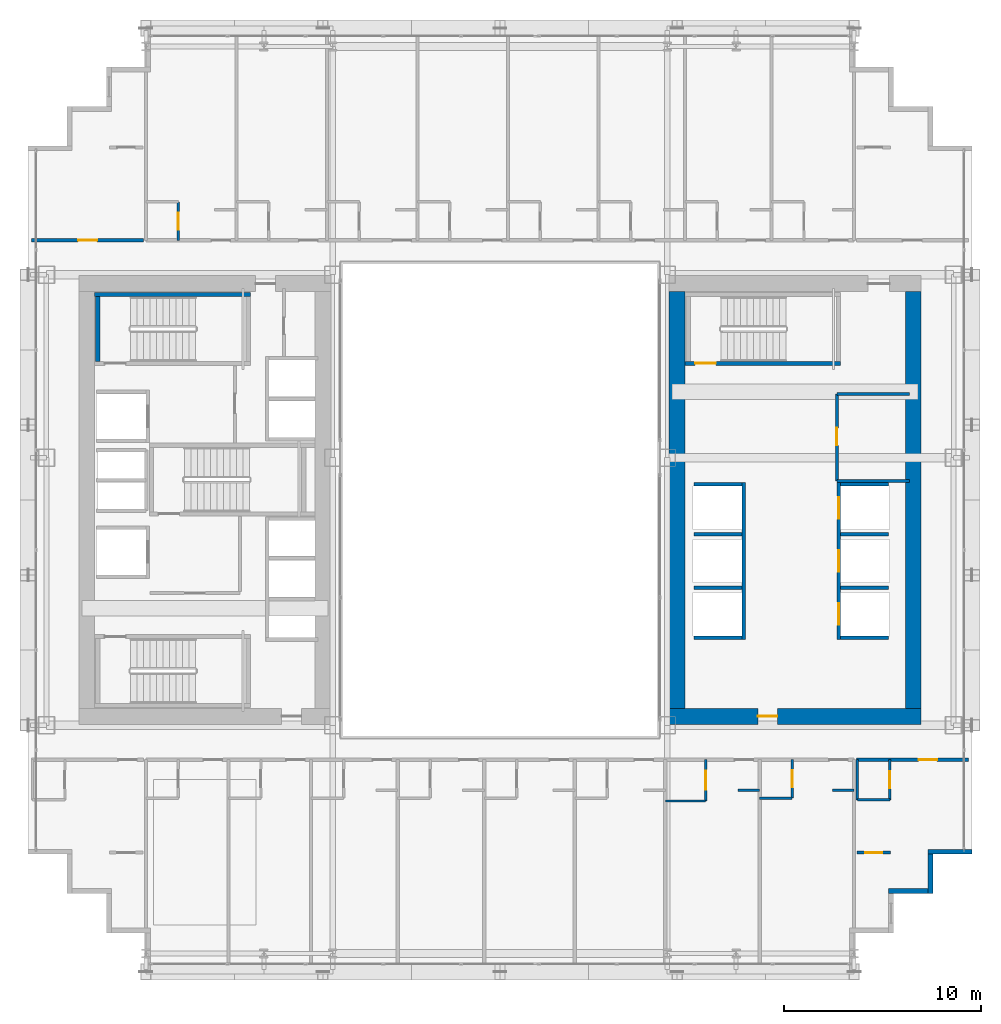
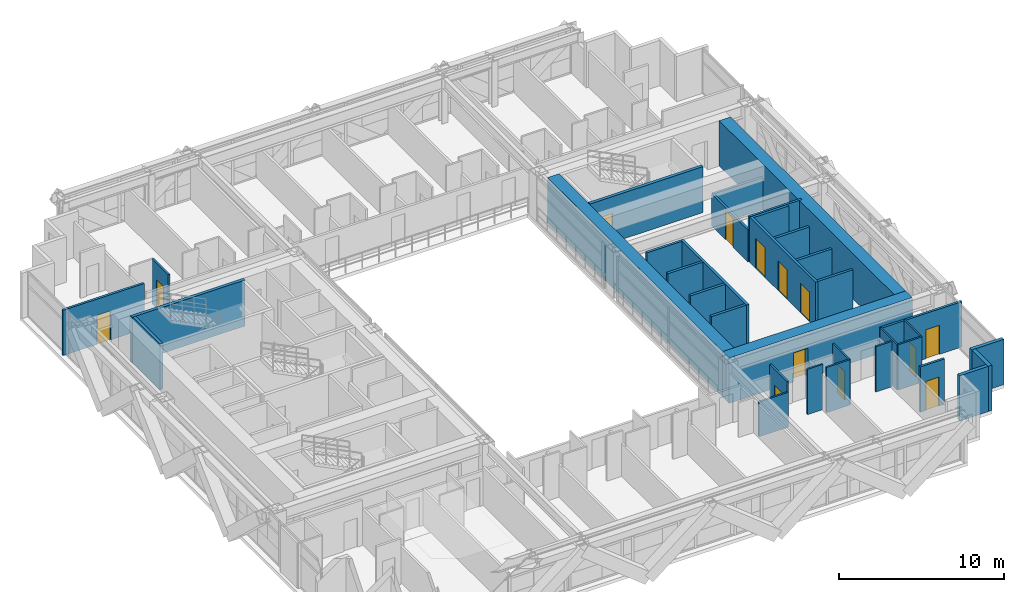
# One storey, part 35 of 41: 35 walls, 13 doors, 13 openings.
"""IFC4 building model written with IfcOpenShell, lengths in metres."""

from ifc_helpers import new_model, si_unit, direction, frame, frame_2d, origin, place, context, subcontext, project, spatial, rectangle, extrude, source, transform, mapped, material, layer, layer_set, type_object, element, fill, save


model = new_model("IFC4")

# Units and contexts
model_context = context("Model", 3, precision=1e-05, world=origin(), true_north=direction((0.0, 1.0)))
body_context = subcontext(model_context, "Body", "Model", "MODEL_VIEW")
ifc_project = project(units=[si_unit("LENGTHUNIT", "METRE"), si_unit("AREAUNIT", "SQUARE_METRE"), si_unit("VOLUMEUNIT", "CUBIC_METRE"), si_unit("PLANEANGLEUNIT", "RADIAN"), si_unit("MASSUNIT", "GRAM", prefix="KILO")], contexts=[model_context])

# Site, building, storey
site_placement = place(None, origin())
site = spatial("IfcSite", under=ifc_project, at=site_placement, CompositionType="ELEMENT")
building_placement = place(site_placement, origin())
building = spatial("IfcBuilding", under=site, at=building_placement, Name="Ocotamira Hotel", CompositionType="ELEMENT")
storey_placement = place(building_placement, frame((0.0, 0.0, 38.39990234375)))
storey = spatial("IfcBuildingStorey", under=building, at=storey_placement, Name="L08", CompositionType="ELEMENT", Elevation=38.39990234375)

# Wall, opening, door
ifc_material_1 = material(Name="Concrete C60/75", Category="concrete")
ifc_layer_1 = layer(ifc_material_1, 0.800048828125)
ifc_layer_set_1 = layer_set([ifc_layer_1], Name="Concrete C60/75")
wall_type_1 = type_object("IfcWallType", Name="WL-CORE-800", PredefinedType="SHEAR", material=ifc_layer_set_1)
wall_1_placement = place(storey_placement, frame((40.60009765625, 15.0, 0.0), z_axis=(0.0, 0.0, 1.0), x_axis=(1.0, 0.0, 0.0)))
wall_1 = element("IfcWall", 1, at=wall_1_placement, inside=storey, type_object=wall_type_1, Name="L08 Shear Core Wall ECORE-S", PredefinedType="SHEAR", context=body_context, shape_type="SweptSolid", body=[
    extrude(rectangle(XDim=12.7998046875, YDim=0.800048828125, at=frame_2d((6.39990234375, 0.0))), origin(), (0.0, 0.0, 1.0), 3.35009765625),
])
opening_1_placement = place(wall_1_placement, frame((4.5, 0.0, 0.0)))
opening_1 = element("IfcOpeningElement", 2, at=opening_1_placement, cuts=wall_1, Name="Opening D-FR2", PredefinedType="OPENING", context=body_context, shape_type="SweptSolid", body=[
    extrude(rectangle(XDim=1.0, YDim=2.14990234375, at=frame_2d((0.5, 1.074951171875))), frame((0.0, 0.41015625, 0.0), z_axis=(0.0, -1.0, 0.0), x_axis=(1.0, 0.0, 0.0)), (0.0, 0.0, 1.0), 0.820068359375),
])
ifc_material_2 = material(Name="Fire-rated acoustic timber-veneer door", Category="wood")
door_type_1 = type_object("IfcDoorType", Name="DR-FIRE-1000", OperationType="NOTDEFINED", PredefinedType="DOOR", material=ifc_material_2)
shared_shape_1 = source(origin(), body_context, "Body", "SweptSolid", [
    extrude(rectangle(XDim=1.0, YDim=2.14990234375, at=frame_2d((0.5, 1.074951171875))), frame((0.0, 0.02490234375, 0.0), z_axis=(0.0, -1.0, 0.0), x_axis=(1.0, 0.0, 0.0)), (0.0, 0.0, 1.0), 0.050048828125),
])
door_1_placement = place(opening_1_placement, origin())
door_1 = element("IfcDoor", 3, at=door_1_placement, inside=storey, type_object=door_type_1, Name="L08 Door ID-L08-ELOB-S-D [ID-L08-ELOB-S-D]", OperationType="SINGLE_SWING_RIGHT", OverallHeight=2.14990234375, OverallWidth=1.0, PredefinedType="DOOR", context=body_context, shape_type="MappedRepresentation", body=[
    mapped(shared_shape_1, transform((0.0, 0.0, 0.0), scale=1.0)),
])
fill(opening_1, door_1)

# Walls
for number, where, z_axis, x_axis, name in (
    (4, (41.0, 15.39990234375, 0.0), (0.0, 0.0, 1.0), (0.0, 1.0, 0.0), "L08 Shear Core Wall ECORE-W"),
    (5, (53.0, 15.39990234375, 0.0), (0.0, 0.0, 1.0), (0.0, 1.0, 0.0), "L08 Shear Core Wall ECORE-E"),
):
    element("IfcWall", number, at=place(storey_placement, frame(where, z_axis=z_axis, x_axis=x_axis)), inside=storey, type_object=wall_type_1, Name=name, PredefinedType="SHEAR", context=body_context, shape_type="SweptSolid", body=[
        extrude(rectangle(XDim=21.2001953125, YDim=0.800048828125, at=frame_2d((10.60009765625, 0.0))), origin(), (0.0, 0.0, 1.0), 3.35009765625),
    ])
ifc_material_3 = material(Name="Precast concrete C45/55", Category="concrete")
ifc_layer_2 = layer(ifc_material_3, 0.25)
ifc_layer_set_2 = layer_set([ifc_layer_2], Name="Precast concrete C45/55")
wall_type_2 = type_object("IfcWallType", Name="WL-EXT-SER-250", PredefinedType="SOLIDWALL", material=ifc_layer_set_2)
for number, where, z_axis, x_axis, name in (
    (6, (51.75, 6.125, 0.0), (0.0, 0.0, 1.0), (1.0, 0.0, 0.0), "L08 Serrated Corner Wall 04"),
    (7, (53.875, 6.0, 0.0), (0.0, 0.0, 1.0), (0.0, 1.0, 0.0), "L08 Serrated Corner Wall 05"),
):
    element("IfcWall", number, at=place(storey_placement, frame(where, z_axis=z_axis, x_axis=x_axis)), inside=storey, type_object=wall_type_2, Name=name, PredefinedType="SOLIDWALL", context=body_context, shape_type="SweptSolid", body=[
        extrude(rectangle(XDim=2.0, YDim=0.25, at=frame_2d((1.0, 0.0))), origin(), (0.0, 0.0, 1.0), 3.35009765625),
    ])
wall_2_placement = place(storey_placement, frame((53.75, 8.125, 0.0), z_axis=(0.0, 0.0, 1.0), x_axis=(1.0, 0.0, 0.0)))
element("IfcWall", 8, at=wall_2_placement, inside=storey, type_object=wall_type_2, Name="L08 Serrated Corner Wall 06", PredefinedType="SOLIDWALL", context=body_context, shape_type="SweptSolid", body=[
    extrude(rectangle(XDim=2.25, YDim=0.25, at=frame_2d((1.125, 0.0))), origin(), (0.0, 0.0, 1.0), 3.35009765625),
])
ifc_material_4 = material(Name="Acoustic double-layer fire gypsum board partition", Category="gypsum")
ifc_layer_3 = layer(ifc_material_4, 0.159912109375)
ifc_layer_set_3 = layer_set([ifc_layer_3], Name="Acoustic double-layer fire gypsum board partition")
wall_type_3 = type_object("IfcWallType", Name="WL-FIRE-160", PredefinedType="PARTITIONING", material=ifc_layer_set_3)
wall_3_placement = place(storey_placement, frame((49.1201171875, 26.969970703125, 0.0), z_axis=(0.0, 0.0, 1.0), x_axis=(1.0, 0.0, 0.0)))
element("IfcWall", 9, at=wall_3_placement, inside=storey, type_object=wall_type_3, Name="L08 Interior Wall PW-L08-EC-NEL-S", PredefinedType="PARTITIONING", context=body_context, shape_type="SweptSolid", body=[
    extrude(rectangle(XDim=3.679931640625, YDim=0.159912109375, at=frame_2d((1.83984375, 0.0))), origin(), (0.0, 0.0, 1.0), 3.35009765625),
])
wall_4_placement = place(storey_placement, frame((49.1201171875, 31.3798828125, 0.0), z_axis=(0.0, 0.0, 1.0), x_axis=(1.0, 0.0, 0.0)))
element("IfcWall", 10, at=wall_4_placement, inside=storey, type_object=wall_type_3, Name="L08 Interior Wall PW-L08-EC-NEL-N", PredefinedType="PARTITIONING", context=body_context, shape_type="SweptSolid", body=[
    extrude(rectangle(XDim=3.679931640625, YDim=0.159912109375, at=frame_2d((1.83984375, 0.0))), origin(), (0.0, 0.0, 1.0), 2.360107421875),
])

# Wall, opening, door
wall_5_placement = place(storey_placement, frame((49.1201171875, 26.969970703125, 0.0), z_axis=(0.0, 0.0, 1.0), x_axis=(0.0, 1.0, 0.0)))
wall_5 = element("IfcWall", 11, at=wall_5_placement, inside=storey, type_object=wall_type_3, Name="L08 Interior Wall PW-L08-EC-NEL-W", PredefinedType="PARTITIONING", context=body_context, shape_type="SweptSolid", body=[
    extrude(rectangle(XDim=4.409912109375, YDim=0.159912109375, at=frame_2d((2.205078125, 0.0))), origin(), (0.0, 0.0, 1.0), 2.360107421875),
])
opening_2_placement = place(wall_5_placement, frame((1.800048828125, 0.0, 0.0)))
opening_2 = element("IfcOpeningElement", 12, at=opening_2_placement, cuts=wall_5, Name="Opening D-IN3", PredefinedType="OPENING", context=body_context, shape_type="SweptSolid", body=[
    extrude(rectangle(XDim=0.89990234375, YDim=2.14990234375, at=frame_2d((0.449951171875, 1.074951171875))), frame((0.0, 0.08984375, 0.0), z_axis=(0.0, -1.0, 0.0), x_axis=(1.0, 0.0, 0.0)), (0.0, 0.0, 1.0), 0.179931640625),
])
ifc_material_5 = material(Name="Painted service room door", Category="steel")
door_type_2 = type_object("IfcDoorType", Name="DR-INT-900", OperationType="NOTDEFINED", PredefinedType="DOOR", material=ifc_material_5)
shared_shape_2 = source(origin(), body_context, "Body", "SweptSolid", [
    extrude(rectangle(XDim=0.89990234375, YDim=2.14990234375, at=frame_2d((0.449951171875, 1.074951171875))), frame((0.0, 0.02490234375, 0.0), z_axis=(0.0, -1.0, 0.0), x_axis=(1.0, 0.0, 0.0)), (0.0, 0.0, 1.0), 0.050048828125),
])
door_2_placement = place(opening_2_placement, origin())
door_2 = element("IfcDoor", 13, at=door_2_placement, inside=storey, type_object=door_type_2, Name="L08 Door ID-L08-EC-NEL-D [ID-L08-EC-NEL-D]", OperationType="SINGLE_SWING_RIGHT", OverallHeight=2.14990234375, OverallWidth=0.89990234375, PredefinedType="DOOR", context=body_context, shape_type="MappedRepresentation", body=[
    mapped(shared_shape_2, transform((0.0, 0.0, 0.0), scale=1.0)),
])
fill(opening_2, door_2)

wall_6_placement = place(storey_placement, frame((50.1201171875, 12.800048828125, 0.0), z_axis=(0.0, 0.0, 1.0), x_axis=(1.0, 0.0, 0.0)))
wall_6 = element("IfcWall", 14, at=wall_6_placement, inside=storey, type_object=wall_type_3, Name="L08 Interior Wall PW-L08-Z1A-CSE-CW", PredefinedType="PARTITIONING", context=body_context, shape_type="SweptSolid", body=[
    extrude(rectangle(XDim=5.679931640625, YDim=0.159912109375, at=frame_2d((2.83984375, 0.0))), origin(), (0.0, 0.0, 1.0), 3.35009765625),
])
opening_3_placement = place(wall_6_placement, frame((3.14990234375, 0.0, 0.0)))
opening_3 = element("IfcOpeningElement", 15, at=opening_3_placement, cuts=wall_6, Name="Opening D-GR1", PredefinedType="OPENING", context=body_context, shape_type="SweptSolid", body=[
    extrude(rectangle(XDim=0.93994140625, YDim=2.14990234375, at=frame_2d((0.469970703125, 1.074951171875))), frame((0.0, 0.08984375, 0.0), z_axis=(0.0, -1.0, 0.0), x_axis=(1.0, 0.0, 0.0)), (0.0, 0.0, 1.0), 0.179931640625),
])
ifc_material_6 = material(Name="Solid-core walnut suite entrance fire door", Category="wood")
door_type_3 = type_object("IfcDoorType", Name="DR-GUEST-940", OperationType="NOTDEFINED", PredefinedType="DOOR", material=ifc_material_6)
shared_shape_3 = source(origin(), body_context, "Body", "SweptSolid", [
    extrude(rectangle(XDim=0.93994140625, YDim=2.14990234375, at=frame_2d((0.469970703125, 1.074951171875))), frame((0.0, 0.02490234375, 0.0), z_axis=(0.0, -1.0, 0.0), x_axis=(1.0, 0.0, 0.0)), (0.0, 0.0, 1.0), 0.050048828125),
])
door_3_placement = place(opening_3_placement, origin())
door_3 = element("IfcDoor", 16, at=door_3_placement, inside=storey, type_object=door_type_3, Name="L08 Door ID-L08-Z1A-CSE-CD [ID-L08-Z1A-CSE-CD]", OperationType="SINGLE_SWING_RIGHT", OverallHeight=2.14990234375, OverallWidth=0.93994140625, PredefinedType="DOOR", context=body_context, shape_type="MappedRepresentation", body=[
    mapped(shared_shape_3, transform((0.0, 0.0, 0.0), scale=1.0)),
])
fill(opening_3, door_3)

wall_7_placement = place(storey_placement, frame((8.199951171875, 39.199951171875, 0.0), z_axis=(0.0, 0.0, 1.0), x_axis=(1.0, 0.0, 0.0)))
wall_7 = element("IfcWall", 17, at=wall_7_placement, inside=storey, type_object=wall_type_3, Name="L08 Interior Wall PW-L08-Z1A-CNW-CW", PredefinedType="PARTITIONING", context=body_context, shape_type="SweptSolid", body=[
    extrude(rectangle(XDim=5.679931640625, YDim=0.159912109375, at=frame_2d((2.83984375, 0.0))), origin(), (0.0, 0.0, 1.0), 3.35009765625),
])
opening_4_placement = place(wall_7_placement, frame((2.360107421875, 0.0, 0.0)))
opening_4 = element("IfcOpeningElement", 18, at=opening_4_placement, cuts=wall_7, Name="Opening D-SV4", PredefinedType="OPENING", context=body_context, shape_type="SweptSolid", body=[
    extrude(rectangle(XDim=0.9599609375, YDim=2.14990234375, at=frame_2d((0.47998046875, 1.074951171875))), frame((0.0, 0.08984375, 0.0), z_axis=(0.0, -1.0, 0.0), x_axis=(1.0, 0.0, 0.0)), (0.0, 0.0, 1.0), 0.179931640625),
])
ifc_material_7 = material(Name="Fire-rated accessible walnut salon door", Category="wood")
door_type_4 = type_object("IfcDoorType", Name="DR-SERV-960", OperationType="NOTDEFINED", PredefinedType="DOOR", material=ifc_material_7)
shared_shape_4 = source(origin(), body_context, "Body", "SweptSolid", [
    extrude(rectangle(XDim=0.9599609375, YDim=2.14990234375, at=frame_2d((0.47998046875, 1.074951171875))), frame((0.0, 0.02490234375, 0.0), z_axis=(0.0, -1.0, 0.0), x_axis=(1.0, 0.0, 0.0)), (0.0, 0.0, 1.0), 0.050048828125),
])
door_4_placement = place(opening_4_placement, origin())
door_4 = element("IfcDoor", 19, at=door_4_placement, inside=storey, type_object=door_type_4, Name="L08 Door ID-L08-Z1A-CNW-CD [ID-L08-Z1A-CNW-CD]", OperationType="SINGLE_SWING_LEFT", OverallHeight=2.14990234375, OverallWidth=0.9599609375, PredefinedType="DOOR", context=body_context, shape_type="MappedRepresentation", body=[
    mapped(shared_shape_4, transform((0.0, 0.0, 0.0), scale=1.0)),
])
fill(opening_4, door_4)

wall_8_placement = place(storey_placement, frame((50.14990234375, 8.080078125, 0.0), z_axis=(0.0, 0.0, 1.0), x_axis=(1.0, 0.0, 0.0)))
wall_8 = element("IfcWall", 20, at=wall_8_placement, inside=storey, type_object=wall_type_3, Name="L08 Interior Wall PW-L08-Z1A-CSE2-CW", PredefinedType="PARTITIONING", context=body_context, shape_type="SweptSolid", body=[
    extrude(rectangle(XDim=1.7001953125, YDim=0.159912109375, at=frame_2d((0.85009765625, 0.0))), origin(), (0.0, 0.0, 1.0), 3.35009765625),
])
opening_5_placement = place(wall_8_placement, frame((0.409912109375, 0.0, 0.0)))
opening_5 = element("IfcOpeningElement", 21, at=opening_5_placement, cuts=wall_8, Name="Opening D-SV2", PredefinedType="OPENING", context=body_context, shape_type="SweptSolid", body=[
    extrude(rectangle(XDim=0.8798828125, YDim=2.14990234375, at=frame_2d((0.43994140625, 1.074951171875))), frame((0.0, 0.08984375, 0.0), z_axis=(0.0, -1.0, 0.0), x_axis=(1.0, 0.0, 0.0)), (0.0, 0.0, 1.0), 0.179931640625),
])
ifc_material_8 = material(Name="Fire-rated painted steel service door", Category="steel")
door_type_5 = type_object("IfcDoorType", Name="DR-SERV-880", OperationType="NOTDEFINED", PredefinedType="DOOR", material=ifc_material_8)
shared_shape_5 = source(origin(), body_context, "Body", "SweptSolid", [
    extrude(rectangle(XDim=0.8798828125, YDim=2.14990234375, at=frame_2d((0.43994140625, 1.074951171875))), frame((0.0, 0.02490234375, 0.0), z_axis=(0.0, -1.0, 0.0), x_axis=(1.0, 0.0, 0.0)), (0.0, 0.0, 1.0), 0.050048828125),
])
door_5_placement = place(opening_5_placement, origin())
door_5 = element("IfcDoor", 22, at=door_5_placement, inside=storey, type_object=door_type_5, Name="L08 Door ID-L08-Z1A-CSE2-CD [ID-L08-Z1A-CSE2-CD]", OperationType="SINGLE_SWING_LEFT", OverallHeight=2.14990234375, OverallWidth=0.8798828125, PredefinedType="DOOR", context=body_context, shape_type="MappedRepresentation", body=[
    mapped(shared_shape_5, transform((0.0, 0.0, 0.0), scale=1.0)),
])
fill(opening_5, door_5)

ifc_material_9 = material(Name="Moisture-resistant en-suite tile and gypsum partition", Category="gypsum")
ifc_layer_4 = layer(ifc_material_9, 0.1201171875)
ifc_layer_set_4 = layer_set([ifc_layer_4], Name="Moisture-resistant en-suite tile and gypsum partition")
wall_type_4 = type_object("IfcWallType", Name="WL-PART-120", PredefinedType="PARTITIONING", material=ifc_layer_set_4)
wall_9_placement = place(storey_placement, frame((51.81005859375, 10.760009765625, 0.0), z_axis=(0.0, 0.0, 1.0), x_axis=(0.0, 1.0, 0.0)))
wall_9 = element("IfcWall", 23, at=wall_9_placement, inside=storey, type_object=wall_type_4, Name="L08 Interior Wall PW-L08-Z1A-CSE-BE", PredefinedType="PARTITIONING", context=body_context, shape_type="SweptSolid", body=[
    extrude(rectangle(XDim=2.0400390625, YDim=0.1201171875, at=frame_2d((1.02001953125, 0.0))), origin(), (0.0, 0.0, 1.0), 3.35009765625),
])
opening_6_placement = place(wall_9_placement, frame((0.590087890625, 0.0, 0.0)))
opening_6 = element("IfcOpeningElement", 24, at=opening_6_placement, cuts=wall_9, Name="Opening D-BA1", PredefinedType="OPENING", context=body_context, shape_type="SweptSolid", body=[
    extrude(rectangle(XDim=0.860107421875, YDim=2.10009765625, at=frame_2d((0.43017578125, 1.050048828125))), frame((0.0, 0.070068359375, 0.0), z_axis=(0.0, -1.0, 0.0), x_axis=(1.0, 0.0, 0.0)), (0.0, 0.0, 1.0), 0.14013671875),
])
ifc_material_10 = material(Name="Moisture-sealed en-suite timber door", Category="wood")
door_type_6 = type_object("IfcDoorType", Name="DR-BATH-860", OperationType="NOTDEFINED", PredefinedType="DOOR", material=ifc_material_10)
shared_shape_6 = source(origin(), body_context, "Body", "SweptSolid", [
    extrude(rectangle(XDim=0.860107421875, YDim=2.10009765625, at=frame_2d((0.43017578125, 1.050048828125))), frame((0.0, 0.02490234375, 0.0), z_axis=(0.0, -1.0, 0.0), x_axis=(1.0, 0.0, 0.0)), (0.0, 0.0, 1.0), 0.050048828125),
])
door_6_placement = place(opening_6_placement, origin())
door_6 = element("IfcDoor", 25, at=door_6_placement, inside=storey, type_object=door_type_6, Name="L08 Door ID-L08-Z1A-CSE-BD [ID-L08-Z1A-CSE-BD]", OperationType="SINGLE_SWING_LEFT", OverallHeight=2.10009765625, OverallWidth=0.860107421875, PredefinedType="DOOR", context=body_context, shape_type="MappedRepresentation", body=[
    mapped(shared_shape_6, transform((0.0, 0.0, 0.0), scale=1.0)),
])
fill(opening_6, door_6)

# Walls
wall_10_placement = place(storey_placement, frame((50.159912109375, 10.760009765625, 0.0), z_axis=(0.0, 0.0, 1.0), x_axis=(0.0, 1.0, 0.0)))
element("IfcWall", 26, at=wall_10_placement, inside=storey, type_object=wall_type_4, Name="L08 Interior Wall PW-L08-Z1A-CSE-BW", PredefinedType="PARTITIONING", context=body_context, shape_type="SweptSolid", body=[
    extrude(rectangle(XDim=2.0400390625, YDim=0.1201171875, at=frame_2d((1.02001953125, 0.0))), origin(), (0.0, 0.0, 1.0), 3.35009765625),
])
wall_11_placement = place(storey_placement, frame((50.159912109375, 10.760009765625, 0.0), z_axis=(0.0, 0.0, 1.0), x_axis=(1.0, 0.0, 0.0)))
element("IfcWall", 27, at=wall_11_placement, inside=storey, type_object=wall_type_4, Name="L08 Interior Wall PW-L08-Z1A-CSE-BH", PredefinedType="PARTITIONING", context=body_context, shape_type="SweptSolid", body=[
    extrude(rectangle(XDim=1.650146484375, YDim=0.1201171875, at=frame_2d((0.8251953125, 0.0))), origin(), (0.0, 0.0, 1.0), 3.35009765625),
])

# Wall, opening, door
wall_12_placement = place(storey_placement, frame((42.449951171875, 10.699951171875, 0.0), z_axis=(0.0, 0.0, 1.0), x_axis=(0.0, 1.0, 0.0)))
wall_12 = element("IfcWall", 28, at=wall_12_placement, inside=storey, type_object=wall_type_4, Name="L08 Interior Wall PW-L08-Z1AS-BAE7", PredefinedType="PARTITIONING", context=body_context, shape_type="SweptSolid", body=[
    extrude(rectangle(XDim=2.10009765625, YDim=0.1201171875, at=frame_2d((1.050048828125, 0.0))), origin(), (0.0, 0.0, 1.0), 3.35009765625),
])
opening_7_placement = place(wall_12_placement, frame((0.570068359375, 0.0, 0.0)))
opening_7 = element("IfcOpeningElement", 29, at=opening_7_placement, cuts=wall_12, Name="Opening D-IN1", PredefinedType="OPENING", context=body_context, shape_type="SweptSolid", body=[
    extrude(rectangle(XDim=0.9599609375, YDim=2.14990234375, at=frame_2d((0.47998046875, 1.074951171875))), frame((0.0, 0.070068359375, 0.0), z_axis=(0.0, -1.0, 0.0), x_axis=(1.0, 0.0, 0.0)), (0.0, 0.0, 1.0), 0.14013671875),
])
ifc_material_11 = material(Name="Accessible walnut interior room door", Category="wood")
door_type_7 = type_object("IfcDoorType", Name="DR-INT-960", OperationType="NOTDEFINED", PredefinedType="DOOR", material=ifc_material_11)
door_7_placement = place(opening_7_placement, origin())
door_7 = element("IfcDoor", 30, at=door_7_placement, inside=storey, type_object=door_type_7, Name="L08 Door ID-L08-Z1AS-BAD7 [ID-L08-Z1AS-BAD7]", OperationType="SINGLE_SWING_RIGHT", OverallHeight=2.14990234375, OverallWidth=0.9599609375, PredefinedType="DOOR", context=body_context, shape_type="MappedRepresentation", body=[
    mapped(shared_shape_4, transform((0.0, 0.0, 0.0), scale=1.0)),
])
fill(opening_7, door_7)

# Walls
wall_13_placement = place(storey_placement, frame((40.39990234375, 10.699951171875, 0.0), z_axis=(0.0, 0.0, 1.0), x_axis=(1.0, 0.0, 0.0)))
element("IfcWall", 31, at=wall_13_placement, inside=storey, type_object=wall_type_4, Name="L08 Interior Wall PW-L08-Z1AS-BAS7", PredefinedType="PARTITIONING", context=body_context, shape_type="SweptSolid", body=[
    extrude(rectangle(XDim=2.050048828125, YDim=0.1201171875, at=frame_2d((1.02490234375, 0.0))), origin(), (0.0, 0.0, 1.0), 2.571044921875),
])
wall_14_placement = place(storey_placement, frame((44.10009765625, 11.25, 0.0), z_axis=(0.0, 0.0, 1.0), x_axis=(1.0, 0.0, 0.0)))
element("IfcWall", 32, at=wall_14_placement, inside=storey, type_object=wall_type_4, Name="L08 Interior Wall PW-L08-Z1AS-DRN7", PredefinedType="PARTITIONING", context=body_context, shape_type="SweptSolid", body=[
    extrude(rectangle(XDim=1.099853515625, YDim=0.1201171875, at=frame_2d((0.5498046875, 0.0))), origin(), (0.0, 0.0, 1.0), 3.35009765625),
])

# Wall, opening, door
wall_15_placement = place(storey_placement, frame((46.85009765625, 10.85009765625, 0.0), z_axis=(0.0, 0.0, 1.0), x_axis=(0.0, 1.0, 0.0)))
wall_15 = element("IfcWall", 33, at=wall_15_placement, inside=storey, type_object=wall_type_4, Name="L08 Interior Wall PW-L08-Z1AS-BAE8", PredefinedType="PARTITIONING", context=body_context, shape_type="SweptSolid", body=[
    extrude(rectangle(XDim=1.949951171875, YDim=0.1201171875, at=frame_2d((0.97509765625, 0.0))), origin(), (0.0, 0.0, 1.0), 3.35009765625),
])
opening_8_placement = place(wall_15_placement, frame((0.544921875, 0.0, 0.0)))
opening_8 = element("IfcOpeningElement", 34, at=opening_8_placement, cuts=wall_15, Name="Opening D-BA1", PredefinedType="OPENING", context=body_context, shape_type="SweptSolid", body=[
    extrude(rectangle(XDim=0.860107421875, YDim=2.10009765625, at=frame_2d((0.43017578125, 1.050048828125))), frame((0.0, 0.070068359375, 0.0), z_axis=(0.0, -1.0, 0.0), x_axis=(1.0, 0.0, 0.0)), (0.0, 0.0, 1.0), 0.14013671875),
])
door_8_placement = place(opening_8_placement, origin())
door_8 = element("IfcDoor", 35, at=door_8_placement, inside=storey, type_object=door_type_6, Name="L08 Door ID-L08-Z1AS-BAD8 [ID-L08-Z1AS-BAD8]", OperationType="SINGLE_SWING_LEFT", OverallHeight=2.10009765625, OverallWidth=0.860107421875, PredefinedType="DOOR", context=body_context, shape_type="MappedRepresentation", body=[
    mapped(shared_shape_6, transform((0.0, 0.0, 0.0), scale=1.0)),
])
fill(opening_8, door_8)

# Walls
wall_16_placement = place(storey_placement, frame((45.199951171875, 10.85009765625, 0.0), z_axis=(0.0, 0.0, 1.0), x_axis=(1.0, 0.0, 0.0)))
element("IfcWall", 36, at=wall_16_placement, inside=storey, type_object=wall_type_4, Name="L08 Interior Wall PW-L08-Z1AS-BAS8", PredefinedType="PARTITIONING", context=body_context, shape_type="SweptSolid", body=[
    extrude(rectangle(XDim=1.650146484375, YDim=0.1201171875, at=frame_2d((0.8251953125, 0.0))), origin(), (0.0, 0.0, 1.0), 3.35009765625),
])
wall_17_placement = place(storey_placement, frame((48.89990234375, 11.25, 0.0), z_axis=(0.0, 0.0, 1.0), x_axis=(1.0, 0.0, 0.0)))
element("IfcWall", 37, at=wall_17_placement, inside=storey, type_object=wall_type_4, Name="L08 Interior Wall PW-L08-Z1AS-DRN8", PredefinedType="PARTITIONING", context=body_context, shape_type="SweptSolid", body=[
    extrude(rectangle(XDim=1.10009765625, YDim=0.1201171875, at=frame_2d((0.550048828125, 0.0))), origin(), (0.0, 0.0, 1.0), 3.35009765625),
])

# Wall, opening, door
wall_18_placement = place(storey_placement, frame((15.64990234375, 39.199951171875, 0.0), z_axis=(0.0, 0.0, 1.0), x_axis=(0.0, 1.0, 0.0)))
wall_18 = element("IfcWall", 38, at=wall_18_placement, inside=storey, type_object=wall_type_4, Name="L08 Interior Wall PW-L08-Z1AN-BAE1", PredefinedType="PARTITIONING", context=body_context, shape_type="SweptSolid", body=[
    extrude(rectangle(XDim=1.949951171875, YDim=0.1201171875, at=frame_2d((0.97509765625, 0.0))), origin(), (0.0, 0.0, 1.0), 3.35009765625),
])
opening_9_placement = place(wall_18_placement, frame((0.544921875, 0.0, 0.0)))
opening_9 = element("IfcOpeningElement", 39, at=opening_9_placement, cuts=wall_18, Name="Opening D-BA1", PredefinedType="OPENING", context=body_context, shape_type="SweptSolid", body=[
    extrude(rectangle(XDim=0.860107421875, YDim=2.10009765625, at=frame_2d((0.43017578125, 1.050048828125))), frame((0.0, 0.070068359375, 0.0), z_axis=(0.0, -1.0, 0.0), x_axis=(1.0, 0.0, 0.0)), (0.0, 0.0, 1.0), 0.14013671875),
])
door_9_placement = place(opening_9_placement, origin())
door_9 = element("IfcDoor", 40, at=door_9_placement, inside=storey, type_object=door_type_6, Name="L08 Door ID-L08-Z1AN-BAD1 [ID-L08-Z1AN-BAD1]", OperationType="SINGLE_SWING_RIGHT", OverallHeight=2.10009765625, OverallWidth=0.860107421875, PredefinedType="DOOR", context=body_context, shape_type="MappedRepresentation", body=[
    mapped(shared_shape_6, transform((0.0, 0.0, 0.0), scale=1.0)),
])
fill(opening_9, door_9)

# Wall, openings, doors
ifc_material_12 = material(Name="Fire-rated gypsum shaftliner board assembly", Category="gypsum")
ifc_layer_5 = layer(ifc_material_12, 0.179931640625)
ifc_layer_set_5 = layer_set([ifc_layer_5], Name="Fire-rated gypsum shaftliner board assembly")
wall_type_5 = type_object("IfcWallType", Name="WL-SHAFT-180", PredefinedType="SOLIDWALL", material=ifc_layer_set_5)
wall_19_placement = place(storey_placement, frame((49.2099609375, 18.919921875, 0.0), z_axis=(0.0, 0.0, 1.0), x_axis=(0.0, 1.0, 0.0)))
wall_19 = element("IfcWall", 41, at=wall_19_placement, inside=storey, type_object=wall_type_5, Name="L08 Interior Wall PW-L08-LFW-BANK-low-F", PredefinedType="SOLIDWALL", context=body_context, shape_type="SweptSolid", body=[
    extrude(rectangle(XDim=7.9599609375, YDim=0.179931640625, at=frame_2d((3.97998046875, 0.0))), origin(), (0.0, 0.0, 1.0), 3.35009765625),
])
opening_10_placement = place(wall_19_placement, frame((0.72998046875, 0.0, 0.0)))
opening_10 = element("IfcOpeningElement", 42, at=opening_10_placement, cuts=wall_19, Name="Opening LD-LF-P1", PredefinedType="OPENING", context=body_context, shape_type="SweptSolid", body=[
    extrude(rectangle(XDim=1.10009765625, YDim=2.199951171875, at=frame_2d((0.550048828125, 1.10009765625))), frame((0.0, 0.10009765625, 0.0), z_axis=(0.0, -1.0, 0.0), x_axis=(1.0, 0.0, 0.0)), (0.0, 0.0, 1.0), 0.199951171875),
])
opening_11_placement = place(wall_19_placement, frame((3.429931640625, 0.0, 0.0)))
opening_11 = element("IfcOpeningElement", 43, at=opening_11_placement, cuts=wall_19, Name="Opening LD-LF-P2", PredefinedType="OPENING", context=body_context, shape_type="SweptSolid", body=[
    extrude(rectangle(XDim=1.10009765625, YDim=2.199951171875, at=frame_2d((0.550048828125, 1.10009765625))), frame((0.0, 0.10009765625, 0.0), z_axis=(0.0, -1.0, 0.0), x_axis=(1.0, 0.0, 0.0)), (0.0, 0.0, 1.0), 0.199951171875),
])
opening_12_placement = place(wall_19_placement, frame((6.1298828125, 0.0, 0.0)))
opening_12 = element("IfcOpeningElement", 44, at=opening_12_placement, cuts=wall_19, Name="Opening LD-LF-P3", PredefinedType="OPENING", context=body_context, shape_type="SweptSolid", body=[
    extrude(rectangle(XDim=1.10009765625, YDim=2.199951171875, at=frame_2d((0.550048828125, 1.10009765625))), frame((0.0, 0.10009765625, 0.0), z_axis=(0.0, -1.0, 0.0), x_axis=(1.0, 0.0, 0.0)), (0.0, 0.0, 1.0), 0.199951171875),
])
ifc_material_13 = material(Name="Brushed pale-metal stainless elevator landing door", Category="steel")
door_type_8 = type_object("IfcDoorType", Name="DR-LIFT-1100", OperationType="NOTDEFINED", PredefinedType="DOOR", material=ifc_material_13)
shared_shape_7 = source(origin(), body_context, "Body", "SweptSolid", [
    extrude(rectangle(XDim=1.10009765625, YDim=2.199951171875, at=frame_2d((0.550048828125, 1.10009765625))), frame((0.0, 0.02490234375, 0.0), z_axis=(0.0, -1.0, 0.0), x_axis=(1.0, 0.0, 0.0)), (0.0, 0.0, 1.0), 0.050048828125),
])
door_10_placement = place(opening_10_placement, origin())
door_10 = element("IfcDoor", 45, at=door_10_placement, inside=storey, type_object=door_type_8, Name="L08 Landing Door LD-LF-P1 [ID-L08-LD-LF-P1]", OperationType="DOUBLE_DOOR_SLIDING", OverallHeight=2.199951171875, OverallWidth=1.10009765625, PredefinedType="DOOR", context=body_context, shape_type="MappedRepresentation", body=[
    mapped(shared_shape_7, transform((0.0, 0.0, 0.0), scale=1.0)),
])
fill(opening_10, door_10)
door_11_placement = place(opening_11_placement, origin())
door_11 = element("IfcDoor", 46, at=door_11_placement, inside=storey, type_object=door_type_8, Name="L08 Landing Door LD-LF-P2 [ID-L08-LD-LF-P2]", OperationType="DOUBLE_DOOR_SLIDING", OverallHeight=2.199951171875, OverallWidth=1.10009765625, PredefinedType="DOOR", context=body_context, shape_type="MappedRepresentation", body=[
    mapped(shared_shape_7, transform((0.0, 0.0, 0.0), scale=1.0)),
])
fill(opening_11, door_11)
door_12_placement = place(opening_12_placement, origin())
door_12 = element("IfcDoor", 47, at=door_12_placement, inside=storey, type_object=door_type_8, Name="L08 Landing Door LD-LF-P3 [ID-L08-LD-LF-P3]", OperationType="DOUBLE_DOOR_SLIDING", OverallHeight=2.199951171875, OverallWidth=1.10009765625, PredefinedType="DOOR", context=body_context, shape_type="MappedRepresentation", body=[
    mapped(shared_shape_7, transform((0.0, 0.0, 0.0), scale=1.0)),
])
fill(opening_12, door_12)

# Walls
for number, where, z_axis, x_axis, name in (
    (48, (49.300048828125, 19.010009765625, 0.0), (0.0, 0.0, 1.0), (1.0, 0.0, 0.0), "L08 Interior Wall PW-L08-LFW-BANK-low-S"),
    (49, (49.300048828125, 26.7900390625, 0.0), (0.0, 0.0, 1.0), (1.0, 0.0, 0.0), "L08 Interior Wall PW-L08-LFW-BANK-low-N"),
    (50, (49.300048828125, 21.550048828125, 0.0), (0.0, 0.0, 1.0), (1.0, 0.0, 0.0), "L08 Interior Wall PW-L08-LFW-DIV-LF-P1"),
    (51, (49.300048828125, 24.25, 0.0), (0.0, 0.0, 1.0), (1.0, 0.0, 0.0), "L08 Interior Wall PW-L08-LFW-DIV-LF-P2"),
):
    element("IfcWall", number, at=place(storey_placement, frame(where, z_axis=z_axis, x_axis=x_axis)), inside=storey, type_object=wall_type_5, Name=name, PredefinedType="SOLIDWALL", context=body_context, shape_type="SweptSolid", body=[
        extrude(rectangle(XDim=2.449951171875, YDim=0.179931640625, at=frame_2d((1.22509765625, 0.0))), origin(), (0.0, 0.0, 1.0), 3.35009765625),
    ])
wall_20_placement = place(storey_placement, frame((44.389892578125, 18.919921875, 0.0), z_axis=(0.0, 0.0, 1.0), x_axis=(0.0, 1.0, 0.0)))
element("IfcWall", 52, at=wall_20_placement, inside=storey, type_object=wall_type_5, Name="L08 Interior Wall PW-L08-LFW-BANK-mid-F", PredefinedType="SOLIDWALL", context=body_context, shape_type="SweptSolid", body=[
    extrude(rectangle(XDim=7.9599609375, YDim=0.179931640625, at=frame_2d((3.97998046875, 0.0))), origin(), (0.0, 0.0, 1.0), 3.35009765625),
])
for number, where, z_axis, x_axis, name in (
    (53, (41.85009765625, 19.010009765625, 0.0), (0.0, 0.0, 1.0), (1.0, 0.0, 0.0), "L08 Interior Wall PW-L08-LFW-BANK-mid-S"),
    (54, (41.85009765625, 26.7900390625, 0.0), (0.0, 0.0, 1.0), (1.0, 0.0, 0.0), "L08 Interior Wall PW-L08-LFW-BANK-mid-N"),
    (55, (41.85009765625, 21.550048828125, 0.0), (0.0, 0.0, 1.0), (1.0, 0.0, 0.0), "L08 Interior Wall PW-L08-LFW-DIV-LF-P4"),
    (56, (41.85009765625, 24.25, 0.0), (0.0, 0.0, 1.0), (1.0, 0.0, 0.0), "L08 Interior Wall PW-L08-LFW-DIV-LF-P5"),
):
    element("IfcWall", number, at=place(storey_placement, frame(where, z_axis=z_axis, x_axis=x_axis)), inside=storey, type_object=wall_type_5, Name=name, PredefinedType="SOLIDWALL", context=body_context, shape_type="SweptSolid", body=[
        extrude(rectangle(XDim=2.449951171875, YDim=0.179931640625, at=frame_2d((1.22509765625, 0.0))), origin(), (0.0, 0.0, 1.0), 3.35009765625),
    ])
ifc_material_14 = material(Name="Concrete C50/60", Category="concrete")
ifc_layer_6 = layer(ifc_material_14, 0.219970703125)
ifc_layer_set_6 = layer_set([ifc_layer_6], Name="Concrete C50/60")
wall_type_6 = type_object("IfcWallType", Name="WL-STAIR-220", PredefinedType="SHEAR", material=ifc_layer_set_6)
wall_21_placement = place(storey_placement, frame((11.39990234375, 36.43994140625, 0.0), z_axis=(0.0, 0.0, 1.0), x_axis=(1.0, 0.0, 0.0)))
element("IfcWall", 57, at=wall_21_placement, inside=storey, type_object=wall_type_6, Name="L08 Stair Shaft Structural Wall ST-2-N", PredefinedType="SHEAR", context=body_context, shape_type="SweptSolid", body=[
    extrude(rectangle(XDim=7.91015625, YDim=0.219970703125, at=frame_2d((3.955078125, 0.0))), origin(), (0.0, 0.0, 1.0), 3.400146484375),
])
wall_22_placement = place(storey_placement, frame((11.56005859375, 33.050048828125, 0.0), z_axis=(0.0, 0.0, 1.0), x_axis=(0.0, 1.0, 0.0)))
element("IfcWall", 58, at=wall_22_placement, inside=storey, type_object=wall_type_6, Name="L08 Stair Shaft Structural Wall ST-2-W", PredefinedType="SHEAR", context=body_context, shape_type="SweptSolid", body=[
    extrude(rectangle(XDim=3.280029296875, YDim=0.219970703125, at=frame_2d((1.64013671875, 0.0))), origin(), (0.0, 0.0, 1.0), 3.400146484375),
])

# Wall, opening, door
wall_23_placement = place(storey_placement, frame((41.39990234375, 32.93994140625, 0.0), z_axis=(0.0, 0.0, 1.0), x_axis=(1.0, 0.0, 0.0)))
wall_23 = element("IfcWall", 59, at=wall_23_placement, inside=storey, type_object=wall_type_6, Name="L08 Stair Shaft Structural Wall ST-4-S", PredefinedType="SHEAR", context=body_context, shape_type="SweptSolid", body=[
    extrude(rectangle(XDim=7.91015625, YDim=0.219970703125, at=frame_2d((3.955078125, 0.0))), origin(), (0.0, 0.0, 1.0), 3.400146484375),
])
opening_13_placement = place(wall_23_placement, frame((0.52001953125, 0.0, 0.0)))
opening_13 = element("IfcOpeningElement", 60, at=opening_13_placement, cuts=wall_23, Name="Opening D-ST2", PredefinedType="OPENING", context=body_context, shape_type="SweptSolid", body=[
    extrude(rectangle(XDim=1.050048828125, YDim=2.14990234375, at=frame_2d((0.52490234375, 1.074951171875))), frame((0.0, 0.1201171875, 0.0), z_axis=(0.0, -1.0, 0.0), x_axis=(1.0, 0.0, 0.0)), (0.0, 0.0, 1.0), 0.239990234375),
])
ifc_material_15 = material(Name="Insulated painted hollow-metal fire exit door", Category="steel")
door_type_9 = type_object("IfcDoorType", Name="DR-STAIR-1050", OperationType="NOTDEFINED", PredefinedType="DOOR", material=ifc_material_15)
shared_shape_8 = source(origin(), body_context, "Body", "SweptSolid", [
    extrude(rectangle(XDim=1.050048828125, YDim=2.14990234375, at=frame_2d((0.52490234375, 1.074951171875))), frame((0.0, 0.02490234375, 0.0), z_axis=(0.0, -1.0, 0.0), x_axis=(1.0, 0.0, 0.0)), (0.0, 0.0, 1.0), 0.050048828125),
])
door_13_placement = place(opening_13_placement, origin())
door_13 = element("IfcDoor", 61, at=door_13_placement, inside=storey, type_object=door_type_9, Name="L08 Door ID-L08-STD-ST-4 [ID-L08-STD-ST-4]", OperationType="SINGLE_SWING_RIGHT", OverallHeight=2.14990234375, OverallWidth=1.050048828125, PredefinedType="DOOR", context=body_context, shape_type="MappedRepresentation", body=[
    mapped(shared_shape_8, transform((0.0, 0.0, 0.0), scale=1.0)),
])
fill(opening_13, door_13)

save(model, "model.ifc")
